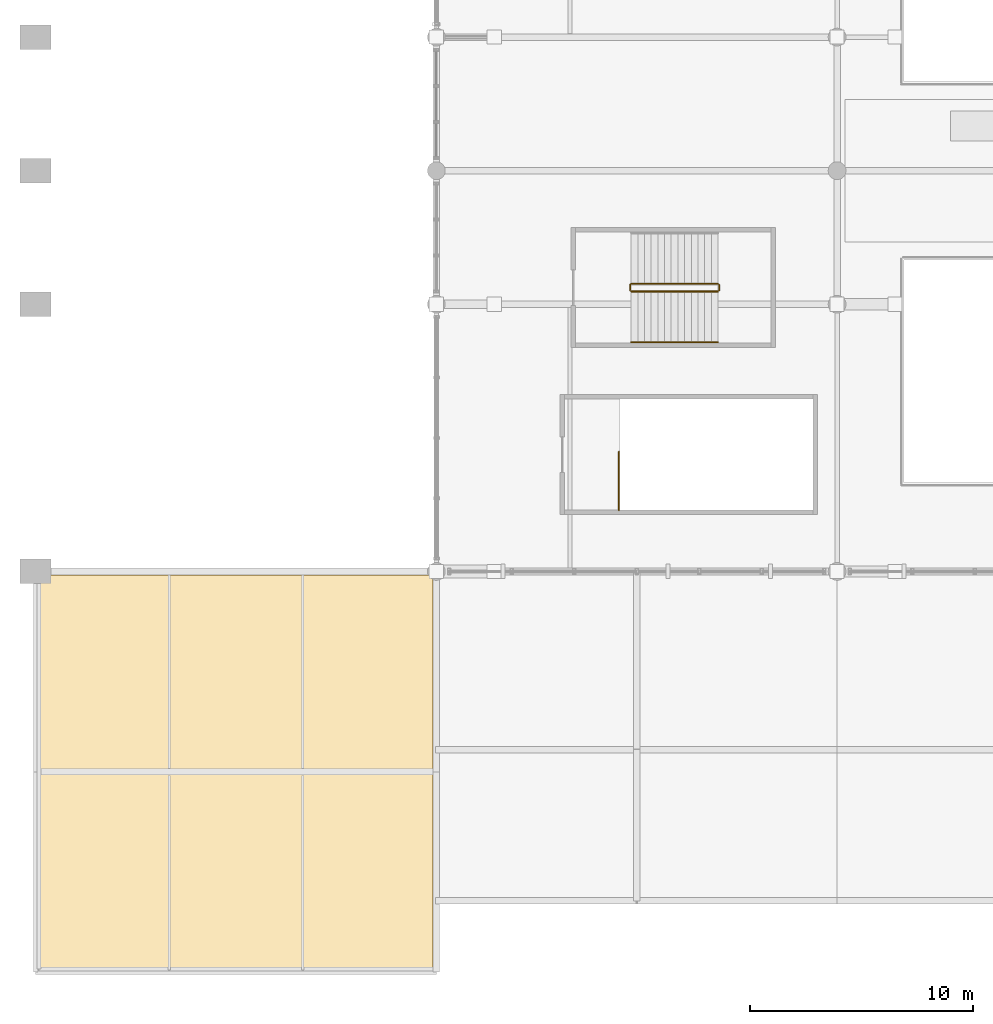
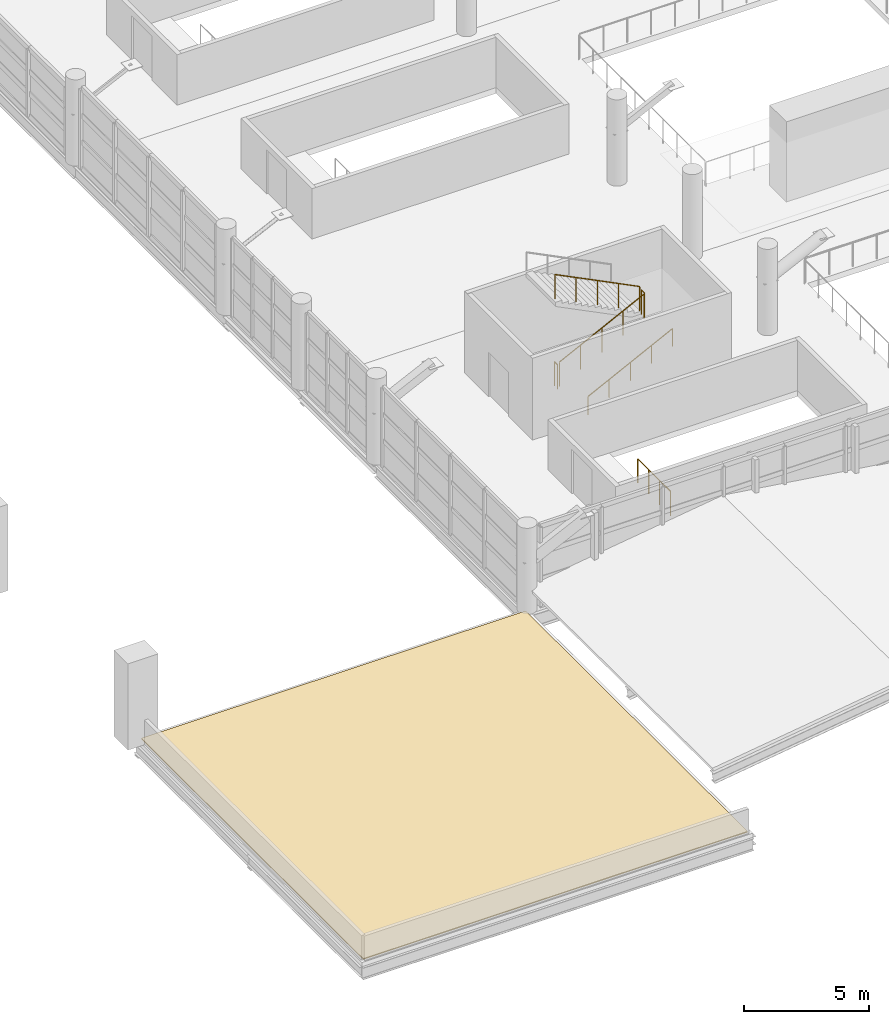
# One storey, part 125 of 136: 6 railings, 1 covering.
"""IFC4 building model written with IfcOpenShell, lengths in metres."""

from ifc_helpers import new_model, si_unit, direction, frame, origin, origin_2d, place, context, subcontext, project, spatial, polyline, circle, outline, extrude, material, layer, layer_set, type_object, element, save


model = new_model("IFC4")

# Units and contexts
model_context = context("Model", 3, precision=1e-05, world=origin(), true_north=direction((0.0, 1.0)))
body_context = subcontext(model_context, "Body", "Model", "MODEL_VIEW")
ifc_project = project(units=[si_unit("LENGTHUNIT", "METRE"), si_unit("AREAUNIT", "SQUARE_METRE"), si_unit("VOLUMEUNIT", "CUBIC_METRE"), si_unit("PLANEANGLEUNIT", "RADIAN"), si_unit("MASSUNIT", "GRAM", prefix="KILO")], contexts=[model_context])

# Site, building, storey
site_placement = place(None, origin())
site = spatial("IfcSite", under=ifc_project, at=site_placement, CompositionType="ELEMENT")
building_placement = place(site_placement, origin())
building = spatial("IfcBuilding", under=site, at=building_placement, Name="Chuanluo Vaults Station", CompositionType="ELEMENT")
storey_placement = place(building_placement, frame((0.0, 0.0, 6.60009765625)))
storey = spatial("IfcBuildingStorey", under=building, at=storey_placement, Name="L01", CompositionType="ELEMENT", Elevation=6.60009765625)

# Covering
ifc_material_1 = material(Name="TPO waterproof roofing membrane")
ifc_layer = layer(ifc_material_1, 0.044921875)
ifc_layer_set = layer_set([ifc_layer], Name="TPO waterproof roofing membrane")
covering_type = type_object("IfcCoveringType", Name="COV-ROOF-TPO", PredefinedType="ROOFING", material=ifc_layer_set)
covering_placement = place(storey_placement, origin())
element("IfcCovering", 1, at=covering_placement, inside=storey, type_object=covering_type, Name="Waterproof TPO roof membrane ROOF:L01:SW", PredefinedType="ROOFING", context=body_context, shape_type="SweptSolid", body=[
    extrude(outline(polyline([(0.14990234375, 0.14990234375), (17.85009765625, 0.14990234375), (17.85009765625, 17.85009765625), (0.14990234375, 17.85009765625), (0.14990234375, 0.14990234375)])), origin(), (0.0, 0.0, 1.0), 0.044921875),
])

# Railings
ifc_material_2 = material(Name="Tempered laminated balustrade glass", Category="glass")
railing_type_1 = type_object("IfcRailingType", Name="RLG-GUARD-1200", PredefinedType="BALUSTRADE", material=ifc_material_2)
railing_1_placement = place(storey_placement, frame((26.199951171875, 20.75, 0.0)))
element("IfcRailing", 2, at=railing_1_placement, inside=storey, type_object=railing_type_1, Name="L01 ST-18 top well guard 1", PredefinedType="BALUSTRADE", context=body_context, shape_type="SweptSolid", body=[
    extrude(circle(Radius=0.02392578125, at=origin_2d()), frame((0.0, 0.0, 1.17578125), z_axis=(0.0, 1.0, 0.0), x_axis=(-1.0, 0.0, 0.0)), (0.0, 0.0, 1.0), 2.625),
    extrude(circle(Radius=0.02099609375, at=origin_2d()), origin(), (0.0, 0.0, 1.0), 1.15185546875),
    extrude(circle(Radius=0.02099609375, at=origin_2d()), frame((0.0, 0.875, 0.0)), (0.0, 0.0, 1.0), 1.15185546875),
    extrude(circle(Radius=0.02099609375, at=origin_2d()), frame((0.0, 1.75, 0.0)), (0.0, 0.0, 1.0), 1.15185546875),
    extrude(circle(Radius=0.02099609375, at=origin_2d()), frame((0.0, 2.625, 0.0)), (0.0, 0.0, 1.0), 1.15185546875),
])
railing_2_placement = place(storey_placement, frame((26.75, 30.574951171875, 0.14990234375)))
element("IfcRailing", 3, at=railing_2_placement, inside=storey, type_object=railing_type_1, Name="L01 ST-22 stair guard 1", PredefinedType="BALUSTRADE", context=body_context, shape_type="SweptSolid", body=[
    extrude(circle(Radius=0.02392578125, at=origin_2d()), frame((0.0, 0.0, 1.17578125), z_axis=(0.894427191, 0.0, 0.4472135955), x_axis=(0.0, 1.0, 0.0)), (0.0, 0.0, 1.0), 4.360107421875),
    extrude(circle(Radius=0.02099609375, at=origin_2d()), origin(), (0.0, 0.0, 1.0), 1.15185546875),
    extrude(circle(Radius=0.02099609375, at=origin_2d()), frame((0.97509765625, 0.0, 0.487548828125)), (0.0, 0.0, 1.0), 1.15185546875),
    extrude(circle(Radius=0.02099609375, at=origin_2d()), frame((1.949951171875, 0.0, 0.97509765625)), (0.0, 0.0, 1.0), 1.15185546875),
    extrude(circle(Radius=0.02099609375, at=origin_2d()), frame((2.9248046875, 0.0, 1.46240234375)), (0.0, 0.0, 1.0), 1.15185546875),
    extrude(circle(Radius=0.02099609375, at=origin_2d()), frame((3.89990234375, 0.0, 1.949951171875)), (0.0, 0.0, 1.0), 1.15185546875),
])
railing_3_placement = place(storey_placement, frame((30.699951171875, 30.625, 2.099853515625)))
element("IfcRailing", 4, at=railing_3_placement, inside=storey, type_object=railing_type_1, Name="L01 ST-22 stair guard 2", PredefinedType="BALUSTRADE", context=body_context, shape_type="SweptSolid", body=[
    extrude(circle(Radius=0.02392578125, at=origin_2d()), frame((0.0, 0.0, 1.17578125), z_axis=(0.0, 1.0, 0.0), x_axis=(-1.0, 0.0, 0.0)), (0.0, 0.0, 1.0), 0.25),
    extrude(circle(Radius=0.02099609375, at=origin_2d()), origin(), (0.0, 0.0, 1.0), 1.15185546875),
    extrude(circle(Radius=0.02099609375, at=origin_2d()), frame((0.0, 0.25, 0.0)), (0.0, 0.0, 1.0), 1.15185546875),
])
railing_4_placement = place(storey_placement, frame((30.64990234375, 30.925048828125, 2.25)))
element("IfcRailing", 5, at=railing_4_placement, inside=storey, type_object=railing_type_1, Name="L01 ST-22 stair guard 3", PredefinedType="BALUSTRADE", context=body_context, shape_type="SweptSolid", body=[
    extrude(circle(Radius=0.02392578125, at=origin_2d()), frame((0.0, 0.0, 1.17578125), z_axis=(-0.894427191, 0.0, 0.4472135955), x_axis=(0.0, -1.0, 0.0)), (0.0, 0.0, 1.0), 4.360107421875),
    extrude(circle(Radius=0.02099609375, at=origin_2d()), origin(), (0.0, 0.0, 1.0), 1.15185546875),
    extrude(circle(Radius=0.02099609375, at=origin_2d()), frame((-0.97509765625, 0.0, 0.487548828125)), (0.0, 0.0, 1.0), 1.15185546875),
    extrude(circle(Radius=0.02099609375, at=origin_2d()), frame((-1.949951171875, 0.0, 0.97509765625)), (0.0, 0.0, 1.0), 1.15185546875),
    extrude(circle(Radius=0.02099609375, at=origin_2d()), frame((-2.9248046875, 0.0, 1.46240234375)), (0.0, 0.0, 1.0), 1.15185546875),
    extrude(circle(Radius=0.02099609375, at=origin_2d()), frame((-3.89990234375, 0.0, 1.949951171875)), (0.0, 0.0, 1.0), 1.15185546875),
])
railing_5_placement = place(storey_placement, frame((26.699951171875, 30.625, 0.0)))
element("IfcRailing", 6, at=railing_5_placement, inside=storey, type_object=railing_type_1, Name="L01 ST-22 stair guard 4", PredefinedType="BALUSTRADE", context=body_context, shape_type="SweptSolid", body=[
    extrude(circle(Radius=0.02392578125, at=origin_2d()), frame((0.0, 0.0, 1.17578125), z_axis=(0.0, 1.0, 0.0), x_axis=(-1.0, 0.0, 0.0)), (0.0, 0.0, 1.0), 0.25),
    extrude(circle(Radius=0.02099609375, at=origin_2d()), origin(), (0.0, 0.0, 1.0), 1.15185546875),
    extrude(circle(Radius=0.02099609375, at=origin_2d()), frame((0.0, 0.25, 0.0)), (0.0, 0.0, 1.0), 1.15185546875),
])
ifc_material_3 = material(Name="Brushed stainless steel 304", Category="steel")
railing_type_2 = type_object("IfcRailingType", Name="RLG-HAND-900", PredefinedType="HANDRAIL", material=ifc_material_3)
railing_6_placement = place(storey_placement, frame((26.75, 28.300048828125, 0.14990234375)))
element("IfcRailing", 7, at=railing_6_placement, inside=storey, type_object=railing_type_2, Name="L01 ST-22 stair handrail 1", PredefinedType="HANDRAIL", context=body_context, shape_type="SweptSolid", body=[
    extrude(circle(Radius=0.02392578125, at=origin_2d()), frame((0.0, 0.0, 0.8759765625), z_axis=(0.894427191, 0.0, 0.4472135955), x_axis=(0.0, 1.0, 0.0)), (0.0, 0.0, 1.0), 4.360107421875),
    extrude(circle(Radius=0.02099609375, at=origin_2d()), origin(), (0.0, 0.0, 1.0), 0.851806640625),
    extrude(circle(Radius=0.02099609375, at=origin_2d()), frame((0.97509765625, 0.0, 0.487548828125)), (0.0, 0.0, 1.0), 0.851806640625),
    extrude(circle(Radius=0.02099609375, at=origin_2d()), frame((1.949951171875, 0.0, 0.97509765625)), (0.0, 0.0, 1.0), 0.851806640625),
    extrude(circle(Radius=0.02099609375, at=origin_2d()), frame((2.9248046875, 0.0, 1.46240234375)), (0.0, 0.0, 1.0), 0.851806640625),
    extrude(circle(Radius=0.02099609375, at=origin_2d()), frame((3.89990234375, 0.0, 1.949951171875)), (0.0, 0.0, 1.0), 0.851806640625),
])

save(model, "model.ifc")
